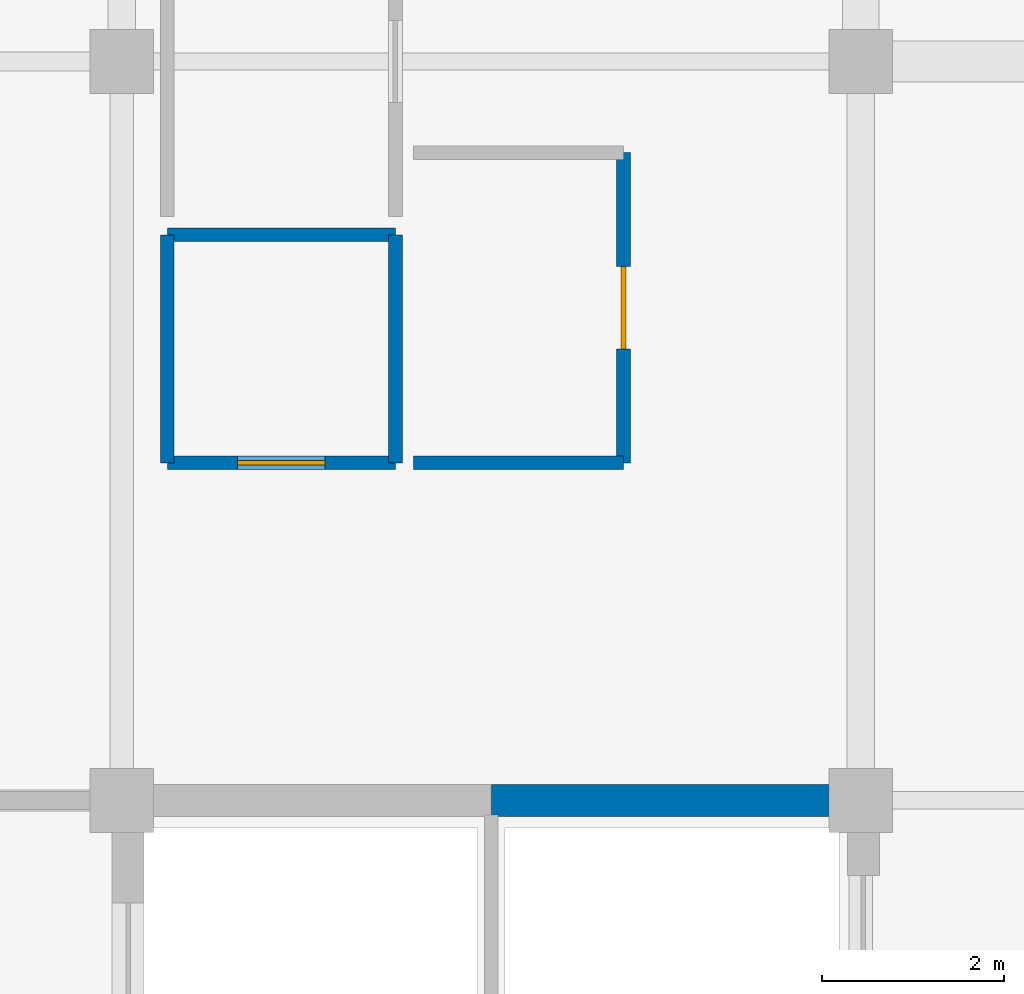
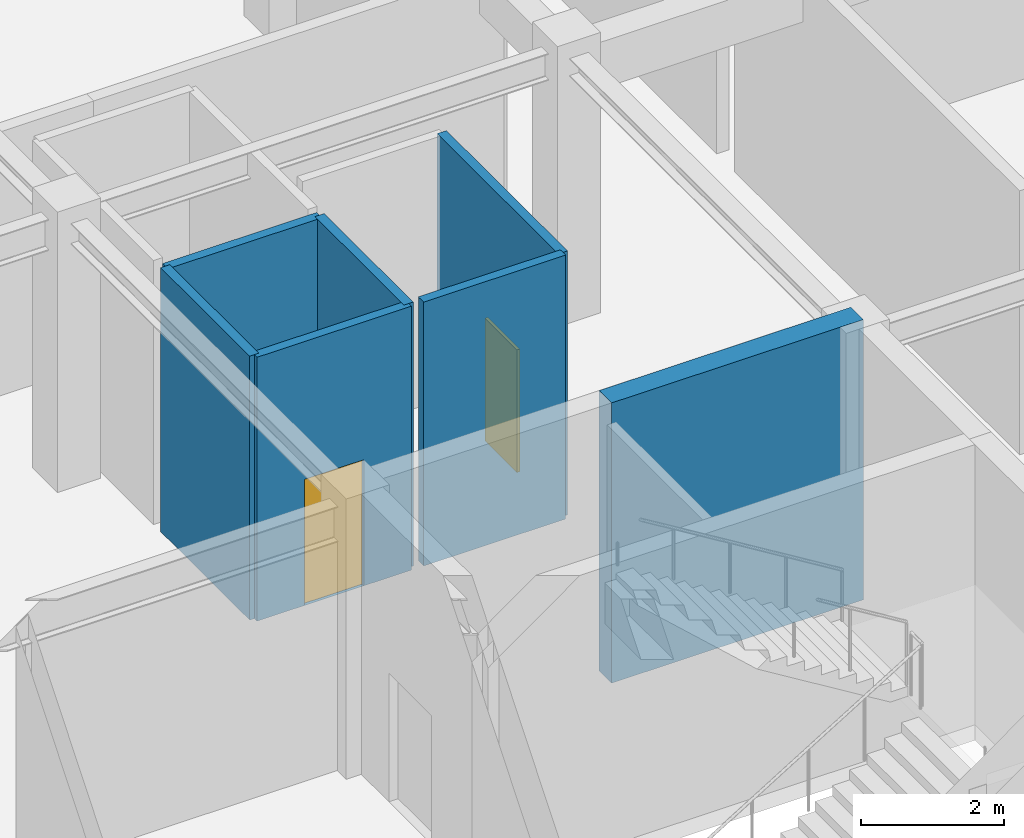
# One storey, part 39 of 56: 7 walls, 2 doors, 2 openings.
"""IFC4 building model written with IfcOpenShell, lengths in metres."""

from ifc_helpers import new_model, si_unit, direction, frame, frame_2d, origin, place, context, subcontext, project, spatial, rectangle, extrude, material, layer, layer_set, type_object, element, fill, save


model = new_model("IFC4")

# Units and contexts
model_context = context("Model", 3, precision=1e-05, world=origin(), true_north=direction((0.0, 1.0)))
body_context = subcontext(model_context, "Body", "Model", "MODEL_VIEW")
ifc_project = project(units=[si_unit("LENGTHUNIT", "METRE"), si_unit("AREAUNIT", "SQUARE_METRE"), si_unit("VOLUMEUNIT", "CUBIC_METRE"), si_unit("PLANEANGLEUNIT", "RADIAN"), si_unit("MASSUNIT", "GRAM", prefix="KILO")], contexts=[model_context])

# Site, building, storey
site_placement = place(None, origin())
site = spatial("IfcSite", under=ifc_project, at=site_placement, CompositionType="ELEMENT")
building_placement = place(site_placement, origin())
building = spatial("IfcBuilding", under=site, at=building_placement, Name="Parian Resonance Hall", CompositionType="ELEMENT")
storey_placement = place(building_placement, frame((0.0, 0.0, 5.39990234375)))
storey = spatial("IfcBuildingStorey", under=building, at=storey_placement, Name="L01", CompositionType="ELEMENT", Elevation=5.39990234375)

# Walls
ifc_material_1 = material(Name="Concrete C40/50", Category="concrete")
ifc_layer_1 = layer(ifc_material_1, 0.35009765625)
ifc_layer_set_1 = layer_set([ifc_layer_1], Name="Concrete C40/50")
wall_type_1 = type_object("IfcWallType", Name="CW350", PredefinedType="SHEAR", material=ifc_layer_set_1)
wall_1_placement = place(storey_placement, frame((125.550048828125, 56.699951171875, 0.0), z_axis=(0.0, 0.0, 1.0), x_axis=(1.0, 0.0, 0.0)))
element("IfcWall", 1, at=wall_1_placement, inside=storey, type_object=wall_type_1, Name="Core K2 north-east shaft wall L01", PredefinedType="SHEAR", context=body_context, shape_type="SweptSolid", body=[
    extrude(rectangle(XDim=4.079833984375, YDim=0.35009765625, at=frame_2d((2.0400390625, 0.0))), origin(), (0.0, 0.0, 1.0), 4.800048828125),
])
ifc_material_2 = material(Name="Concrete C35/45 acoustic plumbing chase wall", Category="concrete")
ifc_layer_2 = layer(ifc_material_2, 0.14990234375)
ifc_layer_set_2 = layer_set([ifc_layer_2], Name="Concrete C35/45 acoustic plumbing chase wall")
wall_type_2 = type_object("IfcWallType", Name="PW150", PredefinedType="PLUMBINGWALL", material=ifc_layer_set_2)
wall_2_placement = place(storey_placement, frame((124.5, 62.89990234375, 0.0), z_axis=(0.0, 0.0, 1.0), x_axis=(0.0, -1.0, 0.0)))
element("IfcWall", 2, at=wall_2_placement, inside=storey, type_object=wall_type_2, Name="Interior acoustic partition IW-L01-0120", PredefinedType="PLUMBINGWALL", context=body_context, shape_type="SweptSolid", body=[
    extrude(rectangle(XDim=2.5, YDim=0.14990234375, at=frame_2d((1.25, 0.0))), origin(), (0.0, 0.0, 1.0), 4.52001953125),
])

# Wall, opening, door
wall_3_placement = place(storey_placement, frame((124.5, 60.39990234375, 0.0), z_axis=(0.0, 0.0, 1.0), x_axis=(-1.0, 0.0, 0.0)))
wall_3 = element("IfcWall", 3, at=wall_3_placement, inside=storey, type_object=wall_type_2, Name="Interior acoustic partition IW-L01-0121", PredefinedType="PLUMBINGWALL", context=body_context, shape_type="SweptSolid", body=[
    extrude(rectangle(XDim=2.5, YDim=0.14990234375, at=frame_2d((1.25, 0.0))), origin(), (0.0, 0.0, 1.0), 4.52001953125),
])
opening_1_placement = place(wall_3_placement, frame((0.77001953125, 0.0, 0.0)))
opening_1 = element("IfcOpeningElement", 4, at=opening_1_placement, cuts=wall_3, Name="Opening ID-21", PredefinedType="OPENING", context=body_context, shape_type="SweptSolid", body=[
    extrude(rectangle(XDim=0.9599609375, YDim=2.159912109375, at=frame_2d((0.47998046875, 1.080078125))), frame((0.0, 0.0849609375, 0.0), z_axis=(0.0, -1.0, 0.0), x_axis=(1.0, 0.0, 0.0)), (0.0, 0.0, 1.0), 0.169921875),
])
ifc_material_3 = material(Name="Philippine narra acoustic timber door", Category="wood")
door_type_1 = type_object("IfcDoorType", Name="ID-AWC-0960x2160", OperationType="NOTDEFINED", PredefinedType="DOOR", material=ifc_material_3)
door_1_placement = place(opening_1_placement, origin())
door_1 = element("IfcDoor", 5, at=door_1_placement, inside=storey, type_object=door_type_1, Name="Accessible WC W2 door", OperationType="SINGLE_SWING_LEFT", OverallHeight=2.159912109375, OverallWidth=0.9599609375, PredefinedType="DOOR", context=body_context, shape_type="SweptSolid", body=[
    extrude(rectangle(XDim=0.9599609375, YDim=2.159912109375, at=frame_2d((0.47998046875, 1.080078125))), frame((0.0, 0.02490234375, 0.0), z_axis=(0.0, -1.0, 0.0), x_axis=(1.0, 0.0, 0.0)), (0.0, 0.0, 1.0), 0.050048828125),
])
fill(opening_1, door_1)

# Walls
for number, where, z_axis, x_axis, name in (
    (6, (122.0, 60.39990234375, 0.0), (0.0, 0.0, 1.0), (0.0, 1.0, 0.0), "Interior acoustic partition IW-L01-0122"),
    (7, (122.0, 62.89990234375, 0.0), (0.0, 0.0, 1.0), (1.0, 0.0, 0.0), "Interior acoustic partition IW-L01-0123"),
):
    element("IfcWall", number, at=place(storey_placement, frame(where, z_axis=z_axis, x_axis=x_axis)), inside=storey, type_object=wall_type_2, Name=name, PredefinedType="PLUMBINGWALL", context=body_context, shape_type="SweptSolid", body=[
        extrude(rectangle(XDim=2.5, YDim=0.14990234375, at=frame_2d((1.25, 0.0))), origin(), (0.0, 0.0, 1.0), 4.52001953125),
    ])

# Wall, opening, door
wall_4_placement = place(storey_placement, frame((127.0, 63.800048828125, 0.0), z_axis=(0.0, 0.0, 1.0), x_axis=(0.0, -1.0, 0.0)))
wall_4 = element("IfcWall", 8, at=wall_4_placement, inside=storey, type_object=wall_type_2, Name="Interior acoustic partition IW-L01-0124", PredefinedType="PLUMBINGWALL", context=body_context, shape_type="SweptSolid", body=[
    extrude(rectangle(XDim=3.400146484375, YDim=0.14990234375, at=frame_2d((1.7001953125, 0.0))), origin(), (0.0, 0.0, 1.0), 4.52001953125),
])
opening_2_placement = place(wall_4_placement, frame((1.25, 0.0, 0.0)))
opening_2 = element("IfcOpeningElement", 9, at=opening_2_placement, cuts=wall_4, Name="Opening ID-22", PredefinedType="OPENING", context=body_context, shape_type="SweptSolid", body=[
    extrude(rectangle(XDim=0.89990234375, YDim=2.10009765625, at=frame_2d((0.449951171875, 1.050048828125))), frame((0.0, 0.0849609375, 0.0), z_axis=(0.0, -1.0, 0.0), x_axis=(1.0, 0.0, 0.0)), (0.0, 0.0, 1.0), 0.169921875),
])
ifc_material_4 = material(Name="Philippine narra acoustic timber door", Category="wood")
door_type_2 = type_object("IfcDoorType", Name="ID-WC-0900x2100", OperationType="NOTDEFINED", PredefinedType="DOOR", material=ifc_material_4)
door_2_placement = place(opening_2_placement, origin())
door_2 = element("IfcDoor", 10, at=door_2_placement, inside=storey, type_object=door_type_2, Name="Female Restroom W2 door", OperationType="SINGLE_SWING_RIGHT", OverallHeight=2.10009765625, OverallWidth=0.89990234375, PredefinedType="DOOR", context=body_context, shape_type="SweptSolid", body=[
    extrude(rectangle(XDim=0.89990234375, YDim=2.10009765625, at=frame_2d((0.449951171875, 1.050048828125))), frame((0.0, 0.02490234375, 0.0), z_axis=(0.0, -1.0, 0.0), x_axis=(1.0, 0.0, 0.0)), (0.0, 0.0, 1.0), 0.050048828125),
])
fill(opening_2, door_2)

# Wall
wall_5_placement = place(storey_placement, frame((127.0, 60.39990234375, 0.0), z_axis=(0.0, 0.0, 1.0), x_axis=(-1.0, 0.0, 0.0)))
element("IfcWall", 11, at=wall_5_placement, inside=storey, type_object=wall_type_2, Name="Interior acoustic partition IW-L01-0125", PredefinedType="PLUMBINGWALL", context=body_context, shape_type="SweptSolid", body=[
    extrude(rectangle(XDim=2.300048828125, YDim=0.14990234375, at=frame_2d((1.14990234375, 0.0))), origin(), (0.0, 0.0, 1.0), 4.52001953125),
])

save(model, "model.ifc")
